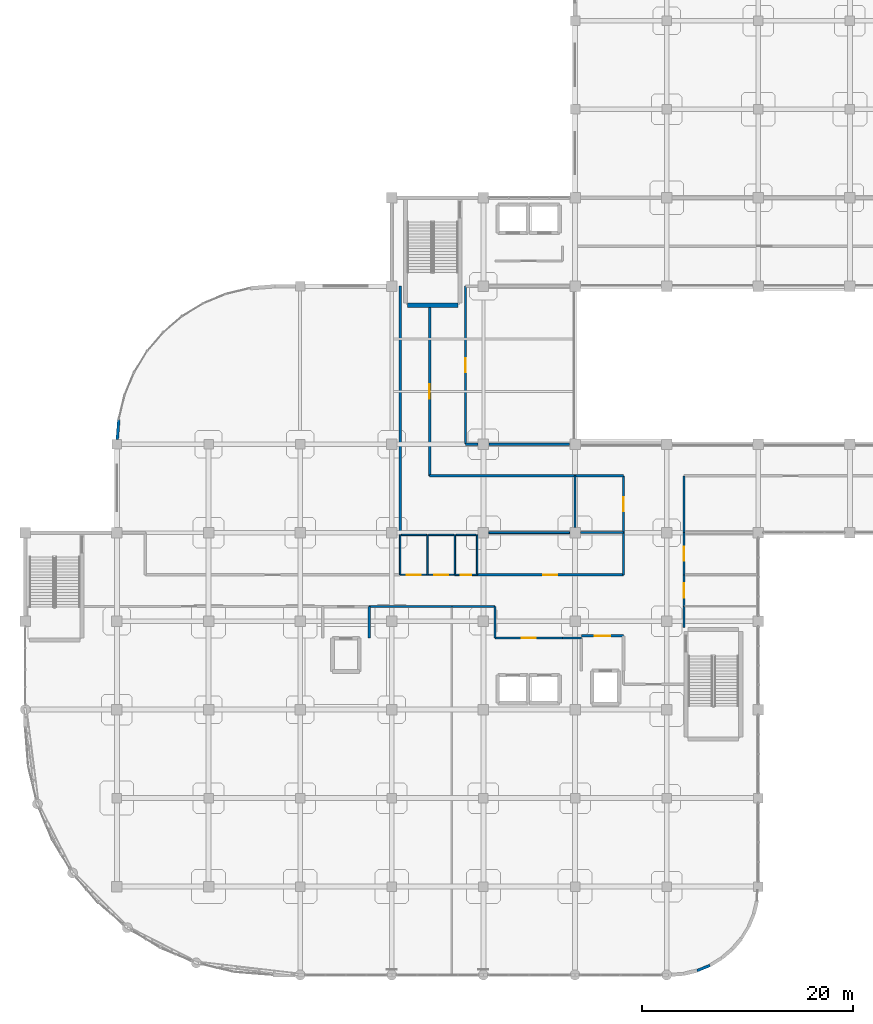
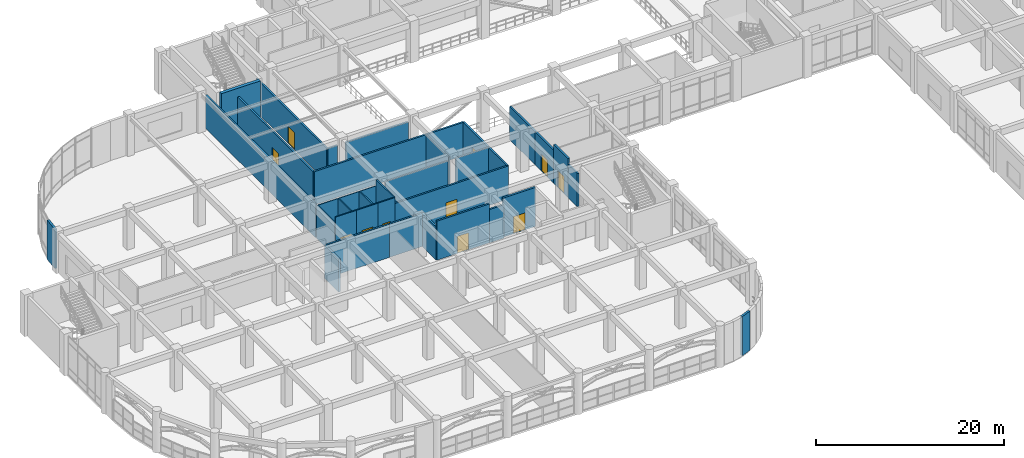
# One storey, part 93 of 114: 37 walls, 11 doors, 11 openings.
"""IFC4 building model written with IfcOpenShell, lengths in metres."""

from ifc_helpers import new_model, si_unit, derived_unit, direction, frame, frame_2d, origin, place, context, subcontext, project, spatial, rectangle, extrude, material, layer, layer_set, type_object, element, fill, save


model = new_model("IFC4")

# Units and contexts
model_context = context("Model", 3, precision=1e-05, world=origin(), true_north=direction((0.0, 1.0)))
body_context = subcontext(model_context, "Body", "Model", "MODEL_VIEW")
ifc_project = project(units=[si_unit("LENGTHUNIT", "METRE"), si_unit("AREAUNIT", "SQUARE_METRE"), si_unit("VOLUMEUNIT", "CUBIC_METRE"), si_unit("PLANEANGLEUNIT", "RADIAN"), si_unit("MASSUNIT", "GRAM", prefix="KILO"), derived_unit("THERMALTRANSMITTANCEUNIT", [(si_unit("MASSUNIT", "GRAM", prefix="KILO"), 1), (si_unit("TIMEUNIT", "SECOND"), -3), (si_unit("THERMODYNAMICTEMPERATUREUNIT", "KELVIN"), -1)])], contexts=[model_context])

# Site, building, storey
site_placement = place(None, origin())
site = spatial("IfcSite", under=ifc_project, at=site_placement, CompositionType="ELEMENT")
building_placement = place(site_placement, origin())
building = spatial("IfcBuilding", under=site, at=building_placement, Name="Qinzheling Arcade Emporium", CompositionType="ELEMENT")
storey_placement = place(building_placement, frame((0.0, 0.0, 6.0)))
storey = spatial("IfcBuildingStorey", under=building, at=storey_placement, Name="L02", CompositionType="ELEMENT", Elevation=6.0)

# Wall, opening, door
ifc_material_1 = material(Name="Double-stud acoustic gypsum board partition")
ifc_layer_1 = layer(ifc_material_1, 0.215087890625, Name="Double-stud acoustic gypsum board partition")
ifc_layer_set_1 = layer_set([ifc_layer_1], Name="Double-stud acoustic gypsum board partition")
wall_type_1 = type_object("IfcWallType", Name="Acoustic Corridor Partition Wall 215", PredefinedType="PARTITIONING", material=ifc_layer_set_1)
wall_1_placement = place(storey_placement, frame((44.60009765625, 32.0, 0.0), z_axis=(0.0, 0.0, 1.0), x_axis=(1.0, 0.0, 0.0)))
wall_1 = element("IfcWall", 1, at=wall_1_placement, inside=storey, type_object=wall_type_1, Name="Interior Wall WL-L02-INT-0283", PredefinedType="PARTITIONING", context=body_context, shape_type="SweptSolid", body=[
    extrude(rectangle(XDim=6.39990234375, YDim=0.215087890625, at=frame_2d((3.199951171875, 0.0))), origin(), (0.0, 0.0, 1.0), 5.06005859375),
])
opening_1_placement = place(wall_1_placement, frame((2.52490234375, 0.0, 0.0)))
opening_1 = element("IfcOpeningElement", 2, at=opening_1_placement, cuts=wall_1, Name="Opening FD05", PredefinedType="OPENING", context=body_context, shape_type="SweptSolid", body=[
    extrude(rectangle(XDim=1.35009765625, YDim=2.199951171875, at=frame_2d((0.675048828125, 1.10009765625))), frame((0.0, 0.11767578125, 0.0), z_axis=(0.0, -1.0, 0.0), x_axis=(1.0, 0.0, 0.0)), (0.0, 0.0, 1.0), 0.235107421875),
])
ifc_material_2 = material(Name="Class B fire-rated stainless-clad door")
door_type_1 = type_object("IfcDoorType", Name="Kitchen Fire-Rated Service Door 1350x2200", OperationType="NOTDEFINED", PredefinedType="DOOR", material=ifc_material_2)
door_1_placement = place(opening_1_placement, origin())
door_1 = element("IfcDoor", 3, at=door_1_placement, inside=storey, type_object=door_type_1, Name="FD05 Interior Door DR-L02-INT-0079", OperationType="SINGLE_SWING_RIGHT", OverallHeight=2.199951171875, OverallWidth=1.35009765625, PredefinedType="DOOR", context=body_context, shape_type="SweptSolid", body=[
    extrude(rectangle(XDim=1.35009765625, YDim=2.199951171875, at=frame_2d((0.675048828125, 1.10009765625))), frame((0.0, 0.02490234375, 0.0), z_axis=(0.0, -1.0, 0.0), x_axis=(1.0, 0.0, 0.0)), (0.0, 0.0, 1.0), 0.050048828125),
])
fill(opening_1, door_1)

# Walls
wall_2_placement = place(storey_placement, frame((40.5, 34.97998046875, 0.0), z_axis=(0.0, 0.0, 1.0), x_axis=(-1.0, 0.0, 0.0)))
element("IfcWall", 4, at=wall_2_placement, inside=storey, type_object=wall_type_1, Name="Interior Wall WL-L02-INT-0310", PredefinedType="PARTITIONING", context=body_context, shape_type="SweptSolid", body=[
    extrude(rectangle(XDim=7.85009765625, YDim=0.215087890625, at=frame_2d((3.925048828125, 0.0))), origin(), (0.0, 0.0, 1.0), 4.31005859375),
])
wall_3_placement = place(storey_placement, frame((44.60009765625, 32.0, 0.0), z_axis=(0.0, 0.0, 1.0), x_axis=(0.0, 1.0, 0.0)))
element("IfcWall", 5, at=wall_3_placement, inside=storey, type_object=wall_type_1, Name="Interior Wall WL-L02-INT-0311", PredefinedType="PARTITIONING", context=body_context, shape_type="SweptSolid", body=[
    extrude(rectangle(XDim=2.97998046875, YDim=0.215087890625, at=frame_2d((1.489990234375, 0.0))), origin(), (0.0, 0.0, 1.0), 4.31005859375),
])
wall_4_placement = place(storey_placement, frame((44.60009765625, 34.97998046875, 0.0), z_axis=(0.0, 0.0, 1.0), x_axis=(-1.0, 0.0, 0.0)))
element("IfcWall", 6, at=wall_4_placement, inside=storey, type_object=wall_type_1, Name="Interior Wall WL-L02-INT-0312", PredefinedType="PARTITIONING", context=body_context, shape_type="SweptSolid", body=[
    extrude(rectangle(XDim=4.10009765625, YDim=0.215087890625, at=frame_2d((2.050048828125, 0.0))), origin(), (0.0, 0.0, 1.0), 4.31005859375),
])
wall_5_placement = place(storey_placement, frame((52.800048828125, 32.0, 0.0), z_axis=(0.0, 0.0, 1.0), x_axis=(-1.0, 0.0, 0.0)))
element("IfcWall", 7, at=wall_5_placement, inside=storey, type_object=wall_type_1, Name="Interior Wall WL-L02-INT-0313", PredefinedType="PARTITIONING", context=body_context, shape_type="SweptSolid", body=[
    extrude(rectangle(XDim=1.800048828125, YDim=0.215087890625, at=frame_2d((0.89990234375, 0.0))), origin(), (0.0, 0.0, 1.0), 4.31005859375),
])
wall_6_placement = place(storey_placement, frame((62.550048828125, 35.0, 0.0), z_axis=(0.0, 0.0, 1.0), x_axis=(0.0, -1.0, 0.0)))
element("IfcWall", 8, at=wall_6_placement, inside=storey, type_object=wall_type_1, Name="Interior Wall WL-L02-INT-0316", PredefinedType="PARTITIONING", context=body_context, shape_type="SweptSolid", body=[
    extrude(rectangle(XDim=2.0, YDim=0.215087890625, at=frame_2d((1.0, 0.0))), origin(), (0.0, 0.0, 1.0), 4.31005859375),
])

# Wall, opening, door
wall_7_placement = place(storey_placement, frame((62.550048828125, 42.0, 0.0), z_axis=(0.0, 0.0, 1.0), x_axis=(0.0, -1.0, 0.0)))
wall_7 = element("IfcWall", 9, at=wall_7_placement, inside=storey, type_object=wall_type_1, Name="Interior Wall WL-L02-INT-0317", PredefinedType="PARTITIONING", context=body_context, shape_type="SweptSolid", body=[
    extrude(rectangle(XDim=4.0, YDim=0.215087890625, at=frame_2d((2.0, 0.0))), origin(), (0.0, 0.0, 1.0), 4.31005859375),
])
opening_2_placement = place(wall_7_placement, frame((1.324951171875, 0.0, 0.0)))
opening_2 = element("IfcOpeningElement", 10, at=opening_2_placement, cuts=wall_7, Name="Opening FD05", PredefinedType="OPENING", context=body_context, shape_type="SweptSolid", body=[
    extrude(rectangle(XDim=1.35009765625, YDim=2.199951171875, at=frame_2d((0.675048828125, 1.10009765625))), frame((0.0, 0.11767578125, 0.0), z_axis=(0.0, -1.0, 0.0), x_axis=(1.0, 0.0, 0.0)), (0.0, 0.0, 1.0), 0.235107421875),
])
door_2_placement = place(opening_2_placement, origin())
door_2 = element("IfcDoor", 11, at=door_2_placement, inside=storey, type_object=door_type_1, Name="FD05 Interior Door DR-L02-INT-0092", OperationType="SINGLE_SWING_LEFT", OverallHeight=2.199951171875, OverallWidth=1.35009765625, PredefinedType="DOOR", context=body_context, shape_type="SweptSolid", body=[
    extrude(rectangle(XDim=1.35009765625, YDim=2.199951171875, at=frame_2d((0.675048828125, 1.10009765625))), frame((0.0, 0.02490234375, 0.0), z_axis=(0.0, -1.0, 0.0), x_axis=(1.0, 0.0, 0.0)), (0.0, 0.0, 1.0), 0.050048828125),
])
fill(opening_2, door_2)

wall_8_placement = place(storey_placement, frame((42.89990234375, 38.0, 0.0), z_axis=(0.0, 0.0, 1.0), x_axis=(1.0, 0.0, 0.0)))
wall_8 = element("IfcWall", 12, at=wall_8_placement, inside=storey, type_object=wall_type_1, Name="Interior Wall WL-L02-INT-0318", PredefinedType="PARTITIONING", context=body_context, shape_type="SweptSolid", body=[
    extrude(rectangle(XDim=13.900146484375, YDim=0.215087890625, at=frame_2d((6.9501953125, 0.0))), origin(), (0.0, 0.0, 1.0), 4.31005859375),
])
opening_3_placement = place(wall_8_placement, frame((6.27490234375, 0.0, 0.0)))
opening_3 = element("IfcOpeningElement", 13, at=opening_3_placement, cuts=wall_8, Name="Opening FD05", PredefinedType="OPENING", context=body_context, shape_type="SweptSolid", body=[
    extrude(rectangle(XDim=1.35009765625, YDim=2.199951171875, at=frame_2d((0.675048828125, 1.10009765625))), frame((0.0, 0.11767578125, 0.0), z_axis=(0.0, -1.0, 0.0), x_axis=(1.0, 0.0, 0.0)), (0.0, 0.0, 1.0), 0.235107421875),
])
door_3_placement = place(opening_3_placement, origin())
door_3 = element("IfcDoor", 14, at=door_3_placement, inside=storey, type_object=door_type_1, Name="FD05 Interior Door DR-L02-INT-0093", OperationType="SINGLE_SWING_RIGHT", OverallHeight=2.199951171875, OverallWidth=1.35009765625, PredefinedType="DOOR", context=body_context, shape_type="SweptSolid", body=[
    extrude(rectangle(XDim=1.35009765625, YDim=2.199951171875, at=frame_2d((0.675048828125, 1.10009765625))), frame((0.0, 0.02490234375, 0.0), z_axis=(0.0, -1.0, 0.0), x_axis=(1.0, 0.0, 0.0)), (0.0, 0.0, 1.0), 0.050048828125),
])
fill(opening_3, door_3)

# Walls
wall_9_placement = place(storey_placement, frame((56.800048828125, 38.0, 0.0), z_axis=(0.0, 0.0, 1.0), x_axis=(0.0, 1.0, 0.0)))
element("IfcWall", 15, at=wall_9_placement, inside=storey, type_object=wall_type_1, Name="Interior Wall WL-L02-INT-0319", PredefinedType="PARTITIONING", context=body_context, shape_type="SweptSolid", body=[
    extrude(rectangle(XDim=4.0, YDim=0.215087890625, at=frame_2d((2.0, 0.0))), origin(), (0.0, 0.0, 1.0), 4.31005859375),
])
wall_10_placement = place(storey_placement, frame((52.199951171875, 47.39990234375, 0.0), z_axis=(0.0, 0.0, 1.0), x_axis=(-1.0, 0.0, 0.0)))
element("IfcWall", 16, at=wall_10_placement, inside=storey, type_object=wall_type_1, Name="Interior Wall WL-L02-INT-0320", PredefinedType="PARTITIONING", context=body_context, shape_type="SweptSolid", body=[
    extrude(rectangle(XDim=13.800048828125, YDim=0.215087890625, at=frame_2d((6.89990234375, 0.0))), origin(), (0.0, 0.0, 1.0), 4.31005859375),
])

# Wall, opening, door
wall_11_placement = place(storey_placement, frame((38.39990234375, 47.39990234375, 0.0), z_axis=(0.0, 0.0, 1.0), x_axis=(0.0, 1.0, 0.0)))
wall_11 = element("IfcWall", 17, at=wall_11_placement, inside=storey, type_object=wall_type_1, Name="Interior Wall WL-L02-INT-0321", PredefinedType="PARTITIONING", context=body_context, shape_type="SweptSolid", body=[
    extrude(rectangle(XDim=15.9951171875, YDim=0.215087890625, at=frame_2d((7.99755859375, 0.0))), origin(), (0.0, 0.0, 1.0), 4.31005859375),
])
opening_4_placement = place(wall_11_placement, frame((7.322998046875, 0.0, 0.0)))
opening_4 = element("IfcOpeningElement", 18, at=opening_4_placement, cuts=wall_11, Name="Opening FD05", PredefinedType="OPENING", context=body_context, shape_type="SweptSolid", body=[
    extrude(rectangle(XDim=1.35009765625, YDim=2.199951171875, at=frame_2d((0.675048828125, 1.10009765625))), frame((0.0, 0.11767578125, 0.0), z_axis=(0.0, -1.0, 0.0), x_axis=(1.0, 0.0, 0.0)), (0.0, 0.0, 1.0), 0.235107421875),
])
door_4_placement = place(opening_4_placement, origin())
door_4 = element("IfcDoor", 19, at=door_4_placement, inside=storey, type_object=door_type_1, Name="FD05 Interior Door DR-L02-INT-0094", OperationType="SINGLE_SWING_LEFT", OverallHeight=2.199951171875, OverallWidth=1.35009765625, PredefinedType="DOOR", context=body_context, shape_type="SweptSolid", body=[
    extrude(rectangle(XDim=1.35009765625, YDim=2.199951171875, at=frame_2d((0.675048828125, 1.10009765625))), frame((0.0, 0.02490234375, 0.0), z_axis=(0.0, -1.0, 0.0), x_axis=(1.0, 0.0, 0.0)), (0.0, 0.0, 1.0), 0.050048828125),
])
fill(opening_4, door_4)

wall_12_placement = place(storey_placement, frame((41.800048828125, 65.39990234375, 0.0), z_axis=(0.0, 0.0, 1.0), x_axis=(0.0, -1.0, 0.0)))
wall_12 = element("IfcWall", 20, at=wall_12_placement, inside=storey, type_object=wall_type_1, Name="Interior Wall WL-L02-INT-0324", PredefinedType="PARTITIONING", context=body_context, shape_type="SweptSolid", body=[
    extrude(rectangle(XDim=15.0, YDim=0.215087890625, at=frame_2d((7.5, 0.0))), origin(), (0.0, 0.0, 1.0), 4.31005859375),
])
opening_5_placement = place(wall_12_placement, frame((6.824951171875, 0.0, 0.0)))
opening_5 = element("IfcOpeningElement", 21, at=opening_5_placement, cuts=wall_12, Name="Opening FD05", PredefinedType="OPENING", context=body_context, shape_type="SweptSolid", body=[
    extrude(rectangle(XDim=1.35009765625, YDim=2.199951171875, at=frame_2d((0.675048828125, 1.10009765625))), frame((0.0, 0.11767578125, 0.0), z_axis=(0.0, -1.0, 0.0), x_axis=(1.0, 0.0, 0.0)), (0.0, 0.0, 1.0), 0.235107421875),
])
door_5_placement = place(opening_5_placement, origin())
door_5 = element("IfcDoor", 22, at=door_5_placement, inside=storey, type_object=door_type_1, Name="FD05 Interior Door DR-L02-INT-0095", OperationType="SINGLE_SWING_RIGHT", OverallHeight=2.199951171875, OverallWidth=1.35009765625, PredefinedType="DOOR", context=body_context, shape_type="SweptSolid", body=[
    extrude(rectangle(XDim=1.35009765625, YDim=2.199951171875, at=frame_2d((0.675048828125, 1.10009765625))), frame((0.0, 0.02490234375, 0.0), z_axis=(0.0, -1.0, 0.0), x_axis=(1.0, 0.0, 0.0)), (0.0, 0.0, 1.0), 0.050048828125),
])
fill(opening_5, door_5)

# Walls
wall_13_placement = place(storey_placement, frame((41.800048828125, 50.39990234375, 0.0), z_axis=(0.0, 0.0, 1.0), x_axis=(1.0, 0.0, 0.0)))
element("IfcWall", 23, at=wall_13_placement, inside=storey, type_object=wall_type_1, Name="Interior Wall WL-L02-INT-0325", PredefinedType="PARTITIONING", context=body_context, shape_type="SweptSolid", body=[
    extrude(rectangle(XDim=1.18994140625, YDim=0.215087890625, at=frame_2d((0.594970703125, 0.0))), origin(), (0.0, 0.0, 1.0), 4.31005859375),
])
wall_14_placement = place(storey_placement, frame((44.010009765625, 50.39990234375, 0.0), z_axis=(0.0, 0.0, 1.0), x_axis=(1.0, 0.0, 0.0)))
element("IfcWall", 24, at=wall_14_placement, inside=storey, type_object=wall_type_1, Name="Interior Wall WL-L02-INT-0326", PredefinedType="PARTITIONING", context=body_context, shape_type="SweptSolid", body=[
    extrude(rectangle(XDim=7.679931640625, YDim=0.215087890625, at=frame_2d((3.83984375, 0.0))), origin(), (0.0, 0.0, 1.0), 4.31005859375),
])
wall_15_placement = place(storey_placement, frame((62.550048828125, 47.39990234375, 0.0), z_axis=(0.0, 0.0, 1.0), x_axis=(0.0, -1.0, 0.0)))
element("IfcWall", 25, at=wall_15_placement, inside=storey, type_object=wall_type_1, Name="Interior Wall WL-L02-INT-0330", PredefinedType="PARTITIONING", context=body_context, shape_type="SweptSolid", body=[
    extrude(rectangle(XDim=5.39990234375, YDim=0.215087890625, at=frame_2d((2.699951171875, 0.0))), origin(), (0.0, 0.0, 1.0), 4.31005859375),
])

# Wall, opening, door
wall_16_placement = place(storey_placement, frame((56.800048828125, 42.0, 0.0), z_axis=(0.0, 0.0, 1.0), x_axis=(0.0, 1.0, 0.0)))
wall_16 = element("IfcWall", 26, at=wall_16_placement, inside=storey, type_object=wall_type_1, Name="Interior Wall WL-L02-INT-0331", PredefinedType="PARTITIONING", context=body_context, shape_type="SweptSolid", body=[
    extrude(rectangle(XDim=5.39990234375, YDim=0.215087890625, at=frame_2d((2.699951171875, 0.0))), origin(), (0.0, 0.0, 1.0), 4.31005859375),
])
opening_6_placement = place(wall_16_placement, frame((2.02490234375, 0.0, 0.0)))
opening_6 = element("IfcOpeningElement", 27, at=opening_6_placement, cuts=wall_16, Name="Opening FD05", PredefinedType="OPENING", context=body_context, shape_type="SweptSolid", body=[
    extrude(rectangle(XDim=1.35009765625, YDim=2.199951171875, at=frame_2d((0.675048828125, 1.10009765625))), frame((0.0, 0.11767578125, 0.0), z_axis=(0.0, -1.0, 0.0), x_axis=(1.0, 0.0, 0.0)), (0.0, 0.0, 1.0), 0.235107421875),
])
door_6_placement = place(opening_6_placement, origin())
door_6 = element("IfcDoor", 28, at=door_6_placement, inside=storey, type_object=door_type_1, Name="FD05 Interior Door DR-L02-INT-0098", OperationType="SINGLE_SWING_LEFT", OverallHeight=2.199951171875, OverallWidth=1.35009765625, PredefinedType="DOOR", context=body_context, shape_type="SweptSolid", body=[
    extrude(rectangle(XDim=1.35009765625, YDim=2.199951171875, at=frame_2d((0.675048828125, 1.10009765625))), frame((0.0, 0.02490234375, 0.0), z_axis=(0.0, -1.0, 0.0), x_axis=(1.0, 0.0, 0.0)), (0.0, 0.0, 1.0), 0.050048828125),
])
fill(opening_6, door_6)

# Wall
wall_17_placement = place(storey_placement, frame((56.800048828125, 47.39990234375, 0.0), z_axis=(0.0, 0.0, 1.0), x_axis=(-1.0, 0.0, 0.0)))
element("IfcWall", 29, at=wall_17_placement, inside=storey, type_object=wall_type_1, Name="Interior Wall WL-L02-INT-0332", PredefinedType="PARTITIONING", context=body_context, shape_type="SweptSolid", body=[
    extrude(rectangle(XDim=4.60009765625, YDim=0.215087890625, at=frame_2d((2.300048828125, 0.0))), origin(), (0.0, 0.0, 1.0), 4.31005859375),
])

# Wall, opening, door
wall_18_placement = place(storey_placement, frame((62.550048828125, 38.0, 0.0), z_axis=(0.0, 0.0, 1.0), x_axis=(0.0, -1.0, 0.0)))
wall_18 = element("IfcWall", 30, at=wall_18_placement, inside=storey, type_object=wall_type_1, Name="Interior Wall WL-L02-INT-0385", PredefinedType="PARTITIONING", context=body_context, shape_type="SweptSolid", body=[
    extrude(rectangle(XDim=3.0, YDim=0.215087890625, at=frame_2d((1.5, 0.0))), origin(), (0.0, 0.0, 1.0), 5.06005859375),
])
opening_7_placement = place(wall_18_placement, frame((0.824951171875, 0.0, 0.0)))
opening_7 = element("IfcOpeningElement", 31, at=opening_7_placement, cuts=wall_18, Name="Opening FD05", PredefinedType="OPENING", context=body_context, shape_type="SweptSolid", body=[
    extrude(rectangle(XDim=1.35009765625, YDim=2.199951171875, at=frame_2d((0.675048828125, 1.10009765625))), frame((0.0, 0.11767578125, 0.0), z_axis=(0.0, -1.0, 0.0), x_axis=(1.0, 0.0, 0.0)), (0.0, 0.0, 1.0), 0.235107421875),
])
door_7_placement = place(opening_7_placement, origin())
door_7 = element("IfcDoor", 32, at=door_7_placement, inside=storey, type_object=door_type_1, Name="FD05 Interior Door DR-L02-INT-0117", OperationType="SINGLE_SWING_RIGHT", OverallHeight=2.199951171875, OverallWidth=1.35009765625, PredefinedType="DOOR", context=body_context, shape_type="SweptSolid", body=[
    extrude(rectangle(XDim=1.35009765625, YDim=2.199951171875, at=frame_2d((0.675048828125, 1.10009765625))), frame((0.0, 0.02490234375, 0.0), z_axis=(0.0, -1.0, 0.0), x_axis=(1.0, 0.0, 0.0)), (0.0, 0.0, 1.0), 0.050048828125),
])
fill(opening_7, door_7)

# Walls
ifc_material_3 = material(Name="Insulated aluminium-clad spandrel wall", Category="aluminium")
ifc_layer_2 = layer(ifc_material_3, 0.260009765625, Name="Insulated aluminium-clad spandrel wall", Category="aluminium")
ifc_layer_set_2 = layer_set([ifc_layer_2], Name="Insulated aluminium-clad spandrel wall")
wall_type_2 = type_object("IfcWallType", Name="Arcade Clerestory Spandrel Wall 260", PredefinedType="STANDARD", material=ifc_layer_set_2)
wall_19_placement = place(storey_placement, frame((65.013916015625, 0.916015625, 0.0), z_axis=(0.0, 0.0, 1.0), x_axis=(-0.923716547568, -0.383076676071, 0.0)))
element("IfcWall", 33, at=wall_19_placement, inside=storey, type_object=wall_type_2, Name="Exterior Wall WL-L02-EW-0106", PredefinedType="STANDARD", context=body_context, shape_type="SweptSolid", body=[
    extrude(rectangle(XDim=1.318603515625, YDim=0.260009765625, at=frame_2d((0.6591796875, 0.0))), origin(), (0.0, 0.0, 1.0), 5.090087890625),
])
wall_20_placement = place(storey_placement, frame((8.736083984375, 50.85107421875, 0.0), z_axis=(0.0, 0.0, 1.0), x_axis=(0.078306322526, 0.996929345467, 0.0)))
element("IfcWall", 34, at=wall_20_placement, inside=storey, type_object=wall_type_2, Name="Exterior Wall WL-L02-EW-0114", PredefinedType="STANDARD", context=body_context, shape_type="SweptSolid", body=[
    extrude(rectangle(XDim=1.90185546875, YDim=0.260009765625, at=frame_2d((0.950927734375, 0.0))), origin(), (0.0, 0.0, 1.0), 5.090087890625),
])

# Wall, opening, door
ifc_material_4 = material(Name="Fire-rated double-stud gypsum and mineral wool wall")
ifc_layer_3 = layer(ifc_material_4, 0.2451171875, Name="Fire-rated double-stud gypsum and mineral wool wall")
ifc_layer_set_3 = layer_set([ifc_layer_3], Name="Fire-rated double-stud gypsum and mineral wool wall")
wall_type_3 = type_object("IfcWallType", Name="Firefighting Lobby Rated Wall 245", PredefinedType="STANDARD", material=ifc_layer_set_3)
wall_21_placement = place(storey_placement, frame((52.800048828125, 32.199951171875, 0.0), z_axis=(0.0, 0.0, 1.0), x_axis=(1.0, 0.0, 0.0)))
wall_21 = element("IfcWall", 35, at=wall_21_placement, inside=storey, type_object=wall_type_3, Name="Interior Wall WL-L02-INT-0274", PredefinedType="STANDARD", context=body_context, shape_type="SweptSolid", body=[
    extrude(rectangle(XDim=4.0, YDim=0.2451171875, at=frame_2d((2.0, 0.0))), origin(), (0.0, 0.0, 1.0), 5.06005859375),
])
opening_8_placement = place(wall_21_placement, frame((1.27490234375, 0.0, 0.0)))
opening_8 = element("IfcOpeningElement", 36, at=opening_8_placement, cuts=wall_21, Name="Opening FD02", PredefinedType="OPENING", context=body_context, shape_type="SweptSolid", body=[
    extrude(rectangle(XDim=1.449951171875, YDim=2.199951171875, at=frame_2d((0.72509765625, 1.10009765625))), frame((0.0, 0.132568359375, 0.0), z_axis=(0.0, -1.0, 0.0), x_axis=(1.0, 0.0, 0.0)), (0.0, 0.0, 1.0), 0.26513671875),
])
ifc_material_5 = material(Name="Class A fire-rated steel double door", Category="steel")
door_type_2 = type_object("IfcDoorType", Name="Firefighting Lobby Fire Door 1450x2200", OperationType="DOUBLE_DOOR_SINGLE_SWING", PredefinedType="DOOR", material=ifc_material_5)
door_8_placement = place(opening_8_placement, origin())
door_8 = element("IfcDoor", 37, at=door_8_placement, inside=storey, type_object=door_type_2, Name="FD02 Interior Door DR-L02-INT-0076", OperationType="DOUBLE_DOOR_SINGLE_SWING", OverallHeight=2.199951171875, OverallWidth=1.449951171875, PredefinedType="DOOR", context=body_context, shape_type="SweptSolid", body=[
    extrude(rectangle(XDim=1.449951171875, YDim=2.199951171875, at=frame_2d((0.72509765625, 1.10009765625))), frame((0.0, 0.02490234375, 0.0), z_axis=(0.0, -1.0, 0.0), x_axis=(1.0, 0.0, 0.0)), (0.0, 0.0, 1.0), 0.050048828125),
])
fill(opening_8, door_8)

# Walls
wall_22_placement = place(storey_placement, frame((32.64990234375, 34.97998046875, 0.0), z_axis=(0.0, 0.0, 1.0), x_axis=(0.0, -1.0, 0.0)))
element("IfcWall", 38, at=wall_22_placement, inside=storey, type_object=wall_type_3, Name="Interior Wall WL-L02-INT-0279", PredefinedType="STANDARD", context=body_context, shape_type="SweptSolid", body=[
    extrude(rectangle(XDim=3.0, YDim=0.2451171875, at=frame_2d((1.5, 0.0))), origin(), (0.0, 0.0, 1.0), 4.31005859375),
])
ifc_material_6 = material(Name="Ceramic-tiled cement-board partition")
ifc_layer_4 = layer(ifc_material_6, 0.18505859375, Name="Ceramic-tiled cement-board partition")
ifc_layer_set_4 = layer_set([ifc_layer_4], Name="Ceramic-tiled cement-board partition")
wall_type_4 = type_object("IfcWallType", Name="Food Hall Kitchen Partition Wall 185", PredefinedType="PARTITIONING", material=ifc_layer_set_4)
wall_23_placement = place(storey_placement, frame((44.010009765625, 42.0, 0.0), z_axis=(0.0, 0.0, 1.0), x_axis=(1.0, 0.0, 0.0)))
element("IfcWall", 39, at=wall_23_placement, inside=storey, type_object=wall_type_4, Name="Interior Wall WL-L02-INT-0391", PredefinedType="PARTITIONING", context=body_context, shape_type="SweptSolid", body=[
    extrude(rectangle(XDim=7.679931640625, YDim=0.18505859375, at=frame_2d((3.83984375, 0.0))), origin(), (0.0, 0.0, 1.0), 4.31005859375),
])
ifc_material_7 = material(Name="Acoustic gypsum gallery partition")
ifc_layer_5 = layer(ifc_material_7, 0.205078125, Name="Acoustic gypsum gallery partition")
ifc_layer_set_5 = layer_set([ifc_layer_5], Name="Acoustic gypsum gallery partition")
wall_type_5 = type_object("IfcWallType", Name="Gallery Display Partition Wall 205", PredefinedType="PARTITIONING", material=ifc_layer_set_5)
wall_24_placement = place(storey_placement, frame((35.60009765625, 65.39990234375, 0.0), z_axis=(0.0, 0.0, 1.0), x_axis=(0.0, -1.0, 0.0)))
element("IfcWall", 40, at=wall_24_placement, inside=storey, type_object=wall_type_5, Name="Interior Wall WL-L02-INT-0386", PredefinedType="PARTITIONING", context=body_context, shape_type="SweptSolid", body=[
    extrude(rectangle(XDim=23.39990234375, YDim=0.205078125, at=frame_2d((11.699951171875, 0.0))), origin(), (0.0, 0.0, 1.0), 4.31005859375),
])
wall_25_placement = place(storey_placement, frame((52.7099609375, 42.0, 0.0), z_axis=(0.0, 0.0, 1.0), x_axis=(1.0, 0.0, 0.0)))
element("IfcWall", 41, at=wall_25_placement, inside=storey, type_object=wall_type_5, Name="Interior Wall WL-L02-INT-0392", PredefinedType="PARTITIONING", context=body_context, shape_type="SweptSolid", body=[
    extrude(rectangle(XDim=4.090087890625, YDim=0.205078125, at=frame_2d((2.044921875, 0.0))), origin(), (0.0, 0.0, 1.0), 4.31005859375),
])

# Wall, opening, door
ifc_material_8 = material(Name="Moisture-resistant shaftliner gypsum board")
ifc_layer_6 = layer(ifc_material_8, 0.155029296875, Name="Moisture-resistant shaftliner gypsum board")
ifc_layer_set_6 = layer_set([ifc_layer_6], Name="Moisture-resistant shaftliner gypsum board")
wall_type_6 = type_object("IfcWallType", Name="Plumbing and Service Riser Wall 155", PredefinedType="MOVABLE", material=ifc_layer_set_6)
wall_26_placement = place(storey_placement, frame((38.199951171875, 38.0, 0.0), z_axis=(0.0, 0.0, 1.0), x_axis=(-1.0, 0.0, 0.0)))
wall_26 = element("IfcWall", 42, at=wall_26_placement, inside=storey, type_object=wall_type_6, Name="Interior Wall WL-L02-INT-0295", PredefinedType="MOVABLE", context=body_context, shape_type="SweptSolid", body=[
    extrude(rectangle(XDim=2.599853515625, YDim=0.155029296875, at=frame_2d((1.2998046875, 0.0))), origin(), (0.0, 0.0, 1.0), 5.06005859375),
])
opening_9_placement = place(wall_26_placement, frame((0.625, 0.0, 0.0)))
opening_9 = element("IfcOpeningElement", 43, at=opening_9_placement, cuts=wall_26, Name="Opening FD05", PredefinedType="OPENING", context=body_context, shape_type="SweptSolid", body=[
    extrude(rectangle(XDim=1.35009765625, YDim=2.199951171875, at=frame_2d((0.675048828125, 1.10009765625))), frame((0.0, 0.08740234375, 0.0), z_axis=(0.0, -1.0, 0.0), x_axis=(1.0, 0.0, 0.0)), (0.0, 0.0, 1.0), 0.175048828125),
])
door_9_placement = place(opening_9_placement, origin())
door_9 = element("IfcDoor", 44, at=door_9_placement, inside=storey, type_object=door_type_1, Name="FD05 Interior Door DR-L02-INT-0084", OperationType="SINGLE_SWING_LEFT", OverallHeight=2.199951171875, OverallWidth=1.35009765625, PredefinedType="DOOR", context=body_context, shape_type="SweptSolid", body=[
    extrude(rectangle(XDim=1.35009765625, YDim=2.199951171875, at=frame_2d((0.675048828125, 1.10009765625))), frame((0.0, 0.02490234375, 0.0), z_axis=(0.0, -1.0, 0.0), x_axis=(1.0, 0.0, 0.0)), (0.0, 0.0, 1.0), 0.050048828125),
])
fill(opening_9, door_9)

wall_27_placement = place(storey_placement, frame((40.800048828125, 38.0, 0.0), z_axis=(0.0, 0.0, 1.0), x_axis=(-1.0, 0.0, 0.0)))
wall_27 = element("IfcWall", 45, at=wall_27_placement, inside=storey, type_object=wall_type_6, Name="Interior Wall WL-L02-INT-0298", PredefinedType="MOVABLE", context=body_context, shape_type="SweptSolid", body=[
    extrude(rectangle(XDim=2.60009765625, YDim=0.155029296875, at=frame_2d((1.300048828125, 0.0))), origin(), (0.0, 0.0, 1.0), 5.06005859375),
])
opening_10_placement = place(wall_27_placement, frame((0.625, 0.0, 0.0)))
opening_10 = element("IfcOpeningElement", 46, at=opening_10_placement, cuts=wall_27, Name="Opening FD05", PredefinedType="OPENING", context=body_context, shape_type="SweptSolid", body=[
    extrude(rectangle(XDim=1.35009765625, YDim=2.199951171875, at=frame_2d((0.675048828125, 1.10009765625))), frame((0.0, 0.08740234375, 0.0), z_axis=(0.0, -1.0, 0.0), x_axis=(1.0, 0.0, 0.0)), (0.0, 0.0, 1.0), 0.175048828125),
])
door_10_placement = place(opening_10_placement, origin())
door_10 = element("IfcDoor", 47, at=door_10_placement, inside=storey, type_object=door_type_1, Name="FD05 Interior Door DR-L02-INT-0085", OperationType="SINGLE_SWING_RIGHT", OverallHeight=2.199951171875, OverallWidth=1.35009765625, PredefinedType="DOOR", context=body_context, shape_type="SweptSolid", body=[
    extrude(rectangle(XDim=1.35009765625, YDim=2.199951171875, at=frame_2d((0.675048828125, 1.10009765625))), frame((0.0, 0.02490234375, 0.0), z_axis=(0.0, -1.0, 0.0), x_axis=(1.0, 0.0, 0.0)), (0.0, 0.0, 1.0), 0.050048828125),
])
fill(opening_10, door_10)

# Walls
ifc_material_9 = material(Name="Concrete C50", Category="concrete")
ifc_layer_7 = layer(ifc_material_9, 0.39990234375, Name="Concrete C50", Category="concrete")
ifc_layer_set_7 = layer_set([ifc_layer_7], Name="Concrete C50")
wall_type_7 = type_object("IfcWallType", Name="RC Stair Core Shear Wall 400 C50", PredefinedType="SHEAR", material=ifc_layer_set_7)
wall_28_placement = place(storey_placement, frame((41.090087890625, 63.60009765625, 0.0), z_axis=(0.0, 0.0, 1.0), x_axis=(-1.0, 0.0, 0.0)))
element("IfcWall", 48, at=wall_28_placement, inside=storey, type_object=wall_type_7, Name="Stair Core Wall WL-L02-ST03-SOUTH", PredefinedType="SHEAR", context=body_context, shape_type="SweptSolid", body=[
    extrude(rectangle(XDim=4.7900390625, YDim=0.39990234375, at=frame_2d((2.39501953125, 0.0))), origin(), (0.0, 0.0, 1.0), 5.39990234375),
])
ifc_material_10 = material(Name="Steel-stud showroom partition", Category="steel")
ifc_layer_8 = layer(ifc_material_10, 0.159912109375, Name="Steel-stud showroom partition", Category="steel")
ifc_layer_set_8 = layer_set([ifc_layer_8], Name="Steel-stud showroom partition")
wall_type_8 = type_object("IfcWallType", Name="Showroom Partition Wall 160", PredefinedType="PARTITIONING", material=ifc_layer_set_8)
wall_29_placement = place(storey_placement, frame((52.199951171875, 47.39990234375, 0.0), z_axis=(0.0, 0.0, 1.0), x_axis=(0.0, -1.0, 0.0)))
element("IfcWall", 49, at=wall_29_placement, inside=storey, type_object=wall_type_8, Name="Interior Wall WL-L02-INT-0393", PredefinedType="PARTITIONING", context=body_context, shape_type="SweptSolid", body=[
    extrude(rectangle(XDim=4.889892578125, YDim=0.159912109375, at=frame_2d((2.44482421875, 0.0))), origin(), (0.0, 0.0, 1.0), 4.31005859375),
])
ifc_material_11 = material(Name="Moisture-resistant cement-board WC partition")
ifc_layer_9 = layer(ifc_material_11, 0.14501953125, Name="Moisture-resistant cement-board WC partition")
ifc_layer_set_9 = layer_set([ifc_layer_9], Name="Moisture-resistant cement-board WC partition")
wall_type_9 = type_object("IfcWallType", Name="Washroom Moisture Partition Wall 145", PredefinedType="PARTITIONING", material=ifc_layer_set_9)
for number, where, z_axis, x_axis, name in (
    (50, (38.199951171875, 41.800048828125, 0.0), (0.0, 0.0, 1.0), (0.0, -1.0, 0.0), "Interior Wall WL-L02-INT-0294"),
    (51, (35.60009765625, 38.0, 0.0), (0.0, 0.0, 1.0), (0.0, 1.0, 0.0), "Interior Wall WL-L02-INT-0296"),
    (52, (40.800048828125, 41.800048828125, 0.0), (0.0, 0.0, 1.0), (0.0, -1.0, 0.0), "Interior Wall WL-L02-INT-0297"),
):
    element("IfcWall", number, at=place(storey_placement, frame(where, z_axis=z_axis, x_axis=x_axis)), inside=storey, type_object=wall_type_9, Name=name, PredefinedType="PARTITIONING", context=body_context, shape_type="SweptSolid", body=[
        extrude(rectangle(XDim=3.800048828125, YDim=0.14501953125, at=frame_2d((1.89990234375, 0.0))), origin(), (0.0, 0.0, 1.0), 4.31005859375),
    ])

# Wall, opening, door
wall_30_placement = place(storey_placement, frame((42.89990234375, 38.0, 0.0), z_axis=(0.0, 0.0, 1.0), x_axis=(-1.0, 0.0, 0.0)))
wall_30 = element("IfcWall", 53, at=wall_30_placement, inside=storey, type_object=wall_type_9, Name="Interior Wall WL-L02-INT-0299", PredefinedType="PARTITIONING", context=body_context, shape_type="SweptSolid", body=[
    extrude(rectangle(XDim=2.099853515625, YDim=0.14501953125, at=frame_2d((1.0498046875, 0.0))), origin(), (0.0, 0.0, 1.0), 5.06005859375),
])
opening_11_placement = place(wall_30_placement, frame((0.550048828125, 0.0, 0.0)))
opening_11 = element("IfcOpeningElement", 54, at=opening_11_placement, cuts=wall_30, Name="Opening D11", PredefinedType="OPENING", context=body_context, shape_type="SweptSolid", body=[
    extrude(rectangle(XDim=1.0, YDim=2.14990234375, at=frame_2d((0.5, 1.074951171875))), frame((0.0, 0.08251953125, 0.0), z_axis=(0.0, -1.0, 0.0), x_axis=(1.0, 0.0, 0.0)), (0.0, 0.0, 1.0), 0.1650390625),
])
ifc_material_12 = material(Name="Antimicrobial high-pressure laminate door")
door_type_3 = type_object("IfcDoorType", Name="Accessible Washroom Door 1000x2150", OperationType="NOTDEFINED", PredefinedType="DOOR", material=ifc_material_12)
door_11_placement = place(opening_11_placement, origin())
door_11 = element("IfcDoor", 55, at=door_11_placement, inside=storey, type_object=door_type_3, Name="D11 Interior Door DR-L02-INT-0086", OperationType="SINGLE_SWING_LEFT", OverallHeight=2.14990234375, OverallWidth=1.0, PredefinedType="DOOR", context=body_context, shape_type="SweptSolid", body=[
    extrude(rectangle(XDim=1.0, YDim=2.14990234375, at=frame_2d((0.5, 1.074951171875))), frame((0.0, 0.02490234375, 0.0), z_axis=(0.0, -1.0, 0.0), x_axis=(1.0, 0.0, 0.0)), (0.0, 0.0, 1.0), 0.050048828125),
])
fill(opening_11, door_11)

# Walls
wall_31_placement = place(storey_placement, frame((42.89990234375, 41.800048828125, 0.0), z_axis=(0.0, 0.0, 1.0), x_axis=(0.0, -1.0, 0.0)))
element("IfcWall", 56, at=wall_31_placement, inside=storey, type_object=wall_type_9, Name="Interior Wall WL-L02-INT-0300", PredefinedType="PARTITIONING", context=body_context, shape_type="SweptSolid", body=[
    extrude(rectangle(XDim=3.800048828125, YDim=0.14501953125, at=frame_2d((1.89990234375, 0.0))), origin(), (0.0, 0.0, 1.0), 5.06005859375),
])
wall_32_placement = place(storey_placement, frame((35.702880859375, 41.800048828125, 0.0), z_axis=(0.0, 0.0, 1.0), x_axis=(1.0, 0.0, 0.0)))
element("IfcWall", 57, at=wall_32_placement, inside=storey, type_object=wall_type_9, Name="Interior Wall WL-L02-INT-0427", PredefinedType="PARTITIONING", context=body_context, shape_type="SweptSolid", body=[
    extrude(rectangle(XDim=2.39501953125, YDim=0.14501953125, at=frame_2d((1.197509765625, 0.0))), origin(), (0.0, 0.0, 1.0), 4.31005859375),
])
wall_33_placement = place(storey_placement, frame((38.302978515625, 41.800048828125, 0.0), z_axis=(0.0, 0.0, 1.0), x_axis=(1.0, 0.0, 0.0)))
element("IfcWall", 58, at=wall_33_placement, inside=storey, type_object=wall_type_9, Name="Interior Wall WL-L02-INT-0428", PredefinedType="PARTITIONING", context=body_context, shape_type="SweptSolid", body=[
    extrude(rectangle(XDim=2.39404296875, YDim=0.14501953125, at=frame_2d((1.197021484375, 0.0))), origin(), (0.0, 0.0, 1.0), 4.31005859375),
])
wall_34_placement = place(storey_placement, frame((40.902099609375, 41.800048828125, 0.0), z_axis=(0.0, 0.0, 1.0), x_axis=(1.0, 0.0, 0.0)))
element("IfcWall", 59, at=wall_34_placement, inside=storey, type_object=wall_type_9, Name="Interior Wall WL-L02-INT-0429", PredefinedType="PARTITIONING", context=body_context, shape_type="SweptSolid", body=[
    extrude(rectangle(XDim=1.89501953125, YDim=0.14501953125, at=frame_2d((0.947509765625, 0.0))), origin(), (0.0, 0.0, 1.0), 4.31005859375),
])

save(model, "model.ifc")
